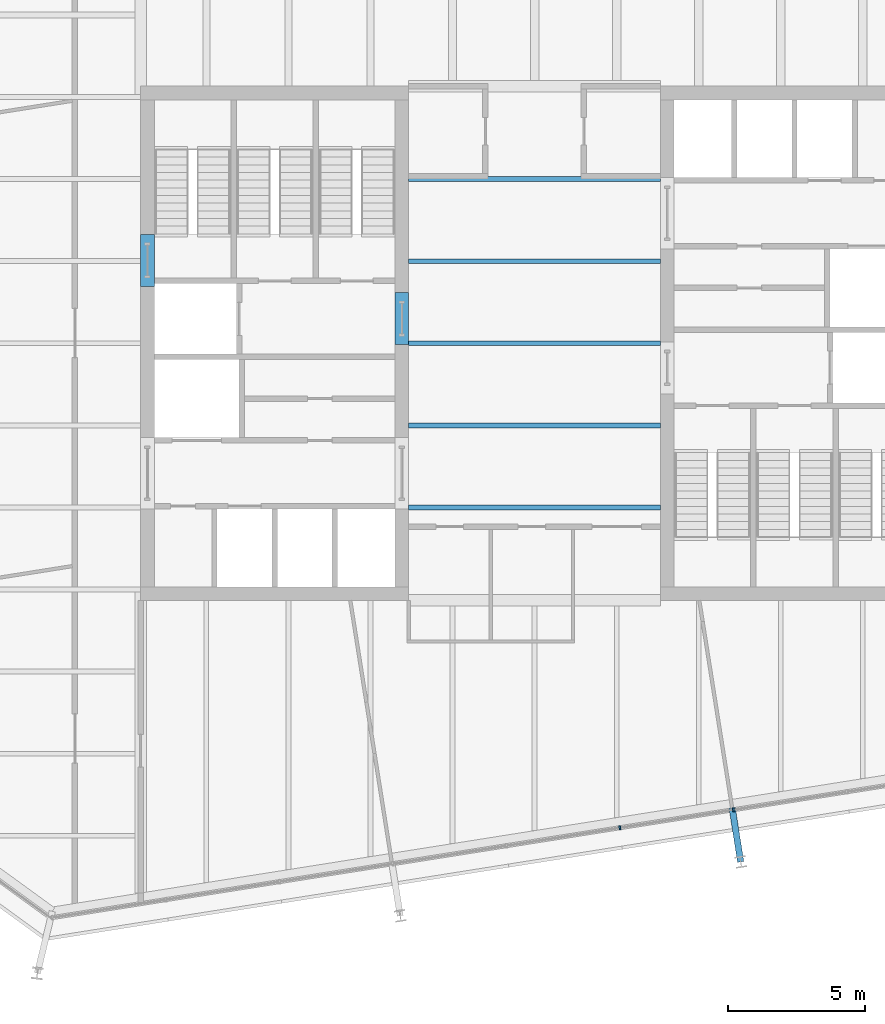
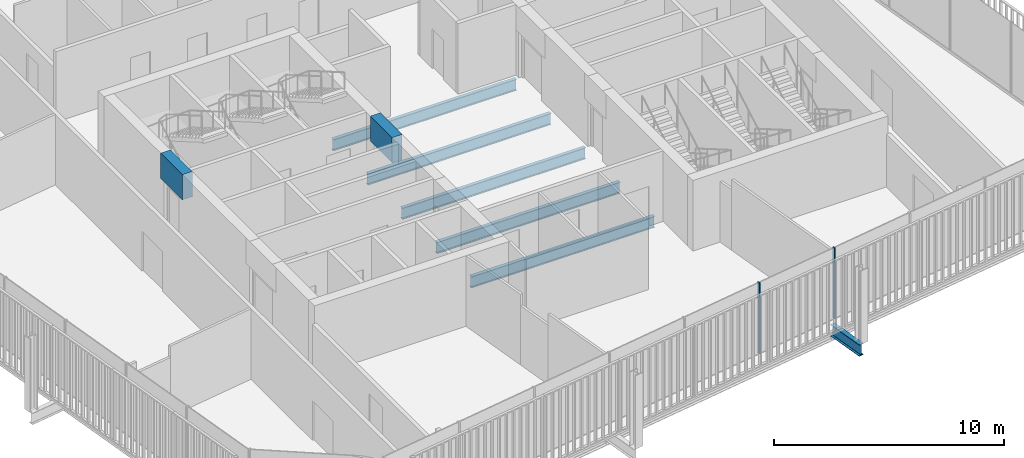
# One storey, part 7 of 20: 8 beams, 2 members, 1 element without a shape of its own.
"""IFC4 building model written with IfcOpenShell, lengths in metres."""

import ifcopenshell
import ifcopenshell.guid

model = None  # the IFC model being written
_history = None  # IfcOwnerHistory: only IFC2X3 demands one
_inside = {}  # id of a spatial element -> (the spatial element, [elements in it])
_under = {}  # id of a project, library or spatial element -> (it, [spatial elements below it])
_declared = {}  # id of a project -> (the project, [libraries it declares])
_typed = {}  # id of a type object -> (the type object, [elements of that type])
_made_of = {}  # id of a material, layer set ... -> (it, [elements and type objects made of it])


def new_model(schema):
    """Start an empty IFC model of exactly this schema.

    Asked for "IFC4X3", IfcOpenShell would pick the latest addendum, in which some entities
    have other attributes; the version numbers below select the first issue.
    IFC2X3 requires an IfcOwnerHistory on every rooted entity: one is made here for all.
    """
    global model, _history
    if schema == "IFC4X3":
        model = ifcopenshell.file(schema_version=(4, 3, 0, 0))
    else:
        model = ifcopenshell.file(schema=schema)
    _inside.clear()
    _under.clear()
    _declared.clear()
    _typed.clear()
    _made_of.clear()
    _history = None
    if model.schema == "IFC2X3":
        org = make("IfcOrganization", Name="unknown")
        user = make(
            "IfcPersonAndOrganization",
            ThePerson=make("IfcPerson", FamilyName="unknown"),
            TheOrganization=org,
        )
        app = make(
            "IfcApplication",
            ApplicationDeveloper=org,
            Version="unknown",
            ApplicationFullName="unknown",
            ApplicationIdentifier="unknown",
        )
        _history = make(
            "IfcOwnerHistory",
            OwningUser=user,
            OwningApplication=app,
            ChangeAction="ADDED",
            CreationDate=0,
        )
    return model


def make(cls, **values):
    """One entity of the class cls with the attributes given. An attribute that is None is left unset."""
    return model.create_entity(
        cls, **{name: value for name, value in values.items() if value is not None}
    )


def rooted(cls, **values):
    """An entity with a GlobalId (a new one), such as an element, a storey or a relation."""
    return make(cls, GlobalId=ifcopenshell.guid.new(), OwnerHistory=_history, **values)


def si_unit(unit_type, name, prefix=None):
    """IfcSIUnit, for example si_unit("LENGTHUNIT", "METRE", prefix="MILLI")."""
    return make("IfcSIUnit", UnitType=unit_type, Prefix=prefix, Name=name)


def assignment(units):
    """IfcUnitAssignment: the units of a project."""
    return None if units is None else make("IfcUnitAssignment", Units=units)


def point(xyz):
    """IfcCartesianPoint."""
    return None if xyz is None else make("IfcCartesianPoint", Coordinates=xyz)


def direction(xyz):
    """IfcDirection."""
    return None if xyz is None else make("IfcDirection", DirectionRatios=xyz)


def frame(location, z_axis=None, x_axis=None):
    """IfcAxis2Placement3D, a coordinate frame: its origin and axes. An axis left out is left unset."""
    return make(
        "IfcAxis2Placement3D",
        Location=point(location),
        Axis=direction(z_axis),
        RefDirection=direction(x_axis),
    )


def frame_2d(location, x_axis=None):
    """IfcAxis2Placement2D, a coordinate frame in the plane: its origin and x axis."""
    return make(
        "IfcAxis2Placement2D", Location=point(location), RefDirection=direction(x_axis)
    )


def origin():
    """The frame at (0, 0, 0) with its axes left unset."""
    return frame((0.0, 0.0, 0.0))


def origin_2d():
    """The frame at (0, 0) in the plane with its x axis left unset."""
    return frame_2d((0.0, 0.0))


def place(relative_to, where):
    """IfcLocalPlacement: puts the frame where relative to a parent placement (None: the world)."""
    return make(
        "IfcLocalPlacement", PlacementRelTo=relative_to, RelativePlacement=where
    )


def context(
    kind, dimensions, precision=None, world=None, true_north=None, identifier=None
):
    """IfcGeometricRepresentationContext, for example the 3D "Model" context."""
    return make(
        "IfcGeometricRepresentationContext",
        ContextIdentifier=identifier,
        ContextType=kind,
        CoordinateSpaceDimension=dimensions,
        Precision=precision,
        WorldCoordinateSystem=world,
        TrueNorth=true_north,
    )


def subcontext(parent, identifier, kind, view, scale=None):
    """IfcGeometricRepresentationSubContext, for example "Body" below "Model"."""
    return make(
        "IfcGeometricRepresentationSubContext",
        ContextIdentifier=identifier,
        ContextType=kind,
        ParentContext=parent,
        TargetScale=scale,
        TargetView=view,
    )


def project(units=None, contexts=None):
    """IfcProject with its units and contexts."""
    return rooted(
        "IfcProject",
        Name="project",
        RepresentationContexts=contexts,
        UnitsInContext=assignment(units),
    )


def spatial(cls, under=None, at=None, **own):
    """A site, building, storey or space (cls), placed at a placement, below another one or the project."""
    s = rooted(cls, ObjectPlacement=at, **own)
    if under is not None:
        _under.setdefault(under.id(), (under, []))[1].append(s)
    return s


def profile(cls, at=None, kind="AREA", **sizes):
    """A parametric profile (cls). Its sizes go by their IFC names, for example OverallWidth=200.0."""
    return make(cls, ProfileType=kind, Position=at, **sizes)


def rectangle(**sizes):
    """IfcRectangleProfileDef."""
    return profile("IfcRectangleProfileDef", **sizes)


def i_section(**sizes):
    """IfcIShapeProfileDef."""
    return profile("IfcIShapeProfileDef", **sizes)


def extrude(swept, where, along, depth):
    """IfcExtrudedAreaSolid: the profile swept, set in the frame where, extruded along a direction by depth."""
    return make(
        "IfcExtrudedAreaSolid",
        SweptArea=swept,
        Position=where,
        ExtrudedDirection=direction(along),
        Depth=depth,
    )


def shape(context_of_items, identifier, shape_type, items):
    """IfcShapeRepresentation: the items that make up one representation, for example the "Body"."""
    return make(
        "IfcShapeRepresentation",
        ContextOfItems=context_of_items,
        RepresentationIdentifier=identifier,
        RepresentationType=shape_type,
        Items=items,
    )


def material(Name=None, Category=None):
    """IfcMaterial."""
    return make("IfcMaterial", Name=Name, Category=Category)


def layer(
    of_material, thickness, ventilated=None, Name=None, Category=None, Priority=None
):
    """IfcMaterialLayer: one layer of a wall or slab, of a material (None: an air gap)."""
    return make(
        "IfcMaterialLayer",
        Material=of_material,
        LayerThickness=thickness,
        IsVentilated=ventilated,
        Name=Name,
        Category=Category,
        Priority=Priority,
    )


def layer_set(layers, Name=None):
    """IfcMaterialLayerSet."""
    return make("IfcMaterialLayerSet", MaterialLayers=layers, LayerSetName=Name)


def material_profile(
    of_material, cross_section, Name=None, Category=None, Priority=None
):
    """IfcMaterialProfile: a cross section and its material."""
    return make(
        "IfcMaterialProfile",
        Name=Name,
        Material=of_material,
        Profile=cross_section,
        Priority=Priority,
        Category=Category,
    )


def profile_set(profiles, Name=None, composite=None):
    """IfcMaterialProfileSet."""
    return make(
        "IfcMaterialProfileSet",
        Name=Name,
        MaterialProfiles=profiles,
        CompositeProfile=composite,
    )


def made_of(thing, what):
    """Note that an element or type object is made of a material, layer set ...; save() writes the relation."""
    if what is not None:
        _made_of.setdefault(what.id(), (what, []))[1].append(thing)
    return thing


def type_object(cls, material=None, **own):
    """A type object (cls), such as IfcWallType, which elements share."""
    return made_of(rooted(cls, **own), material)


def element(
    cls,
    number,
    at=None,
    inside=None,
    cuts=None,
    type_object=None,
    material=None,
    context=None,
    identifier="Body",
    shape_type=None,
    held_by="IfcProductDefinitionShape",
    body=None,
    shapes=None,
    **own,
):
    """One element of the class cls, such as IfcWall. Its Tag is "e" and its number.

    at: its placement. inside: the storey or other place that contains it. cuts: it is an
    opening in that element (IfcRelVoidsElement). A single representation is given by context,
    identifier, shape_type and body (its items); several are given by shapes. held_by: the class
    of the entity that holds the representations. save() writes the other relations.
    """
    e = rooted(cls, Tag="e%d" % number, ObjectPlacement=at, **own)
    if body is not None:
        shapes = [shape(context, identifier, shape_type, body)]
    if shapes is not None:
        e.Representation = make(held_by, Representations=shapes)
    if inside is not None:
        _inside.setdefault(inside.id(), (inside, []))[1].append(e)
    if cuts is not None:
        rooted(
            "IfcRelVoidsElement", RelatingBuildingElement=cuts, RelatedOpeningElement=e
        )
    if type_object is not None:
        _typed.setdefault(type_object.id(), (type_object, []))[1].append(e)
    return made_of(e, material)


def aggregate(whole, parts):
    """IfcRelAggregates: a whole, such as a stair, and the parts it consists of."""
    return rooted("IfcRelAggregates", RelatingObject=whole, RelatedObjects=parts)


def save(model, path):
    """Write the relations noted so far, then the file.

    IfcRelAggregates (storeys below a building ...), IfcRelContainedInSpatialStructure (elements
    in a storey), IfcRelDefinesByType, IfcRelAssociatesMaterial and IfcRelDeclares: one each for
    every whole, place, type object, material and project.
    """
    for whole, parts in _under.values():
        aggregate(whole, parts)
    for where, things in _inside.values():
        rooted(
            "IfcRelContainedInSpatialStructure",
            RelatedElements=things,
            RelatingStructure=where,
        )
    for kind, things in _typed.values():
        rooted("IfcRelDefinesByType", RelatedObjects=things, RelatingType=kind)
    for what, things in _made_of.values():
        rooted("IfcRelAssociatesMaterial", RelatedObjects=things, RelatingMaterial=what)
    for by, libraries in _declared.values():
        rooted("IfcRelDeclares", RelatingContext=by, RelatedDefinitions=libraries)
    model.write(path)


model = new_model("IFC4")

# Units and contexts
model_context = context("Model", 3, precision=1e-05, world=origin(), true_north=direction((0.0, 1.0)))
body_context = subcontext(model_context, "Body", "Model", "MODEL_VIEW")
ifc_project = project(units=[si_unit("LENGTHUNIT", "METRE"), si_unit("AREAUNIT", "SQUARE_METRE"), si_unit("VOLUMEUNIT", "CUBIC_METRE"), si_unit("PLANEANGLEUNIT", "RADIAN"), si_unit("MASSUNIT", "GRAM", prefix="KILO")], contexts=[model_context])

# Site, building, storey
site_placement = place(None, origin())
site = spatial("IfcSite", under=ifc_project, at=site_placement, CompositionType="ELEMENT")
building_placement = place(site_placement, origin())
building = spatial("IfcBuilding", under=site, at=building_placement, Name="Millrace Tower", CompositionType="ELEMENT")
storey_placement = place(building_placement, frame((0.0, 0.0, 259.10009765625)))
storey = spatial("IfcBuildingStorey", under=building, at=storey_placement, Name="L59", CompositionType="ELEMENT", Elevation=259.10009765625)

# Curtain wall, members
ifc_material_1 = material(Name="Aluminium and glass", Category="aluminium")
ifc_layer = layer(ifc_material_1, 0.14990234375)
ifc_layer_set = layer_set([ifc_layer], Name="Aluminium and glass")
curtain_wall_type = type_object("IfcCurtainWallType", Name="CW-1 office vision curtain wall", PredefinedType="NOTDEFINED", material=ifc_layer_set)
curtain_wall_placement = place(storey_placement, origin())
curtain_wall = element("IfcCurtainWall", 1, at=curtain_wall_placement, inside=storey, type_object=curtain_wall_type, Name="Curtain wall D-F02 L59", PredefinedType="NOTDEFINED")
ifc_material_2 = material(Name="Aluminium", Category="aluminium")
ifc_material_profile_1 = material_profile(ifc_material_2, rectangle(XDim=0.06494140625, YDim=0.14990234375, at=origin_2d()))
ifc_profile_set_1 = profile_set([ifc_material_profile_1], Name="Aluminium")
member_type = type_object("IfcMemberType", Name="CW-1 office vision curtain wall mullion", PredefinedType="MULLION", material=ifc_profile_set_1)
member_1_placement = place(storey_placement, frame((3.115966796875, -17.707275390625, 0.139892578125), z_axis=(0.0, 0.0, 1.0), x_axis=(0.987688339511, 0.156434471884, 0.0)))
member_1 = element("IfcMember", 2, at=member_1_placement, type_object=member_type, Name="CW1 mullion D-F02.6", PredefinedType="MULLION", context=body_context, shape_type="SweptSolid", body=[
    extrude(rectangle(XDim=0.06494140625, YDim=0.14990234375, at=origin_2d()), origin(), (0.0, 0.0, 1.0), 3.760009765625),
])
member_2_placement = place(storey_placement, frame((7.26416015625, -17.05029296875, 0.139892578125), z_axis=(0.0, 0.0, 1.0), x_axis=(0.987688339511, 0.156434471884, 0.0)))
member_2 = element("IfcMember", 3, at=member_2_placement, type_object=member_type, Name="CW1 mullion D-F02.7", PredefinedType="MULLION", context=body_context, shape_type="SweptSolid", body=[
    extrude(rectangle(XDim=0.06494140625, YDim=0.14990234375, at=origin_2d()), origin(), (0.0, 0.0, 1.0), 3.760009765625),
])
aggregate(curtain_wall, [member_1, member_2])

# Beams
ifc_material_3 = material(Name="Concrete C60", Category="concrete")
ifc_material_profile_2 = material_profile(ifc_material_3, rectangle(XDim=0.5, YDim=1.340087890625, at=origin_2d()))
ifc_profile_set_2 = profile_set([ifc_material_profile_2], Name="Concrete C60")
beam_type_1 = type_object("IfcBeamType", Name="Coupling beam 500 x 1340 Concrete C60, 1300 opening", PredefinedType="BEAM", material=ifc_profile_set_2)
beam_1_placement = place(storey_placement, frame((-14.14990234375, 2.080078125, 3.06982421875), z_axis=(0.0, 1.0, 0.0), x_axis=(-1.0, 0.0, 0.0)))
element("IfcBeam", 4, at=beam_1_placement, inside=storey, type_object=beam_type_1, Name="Coupling beam W L59", PredefinedType="BEAM", context=body_context, shape_type="SweptSolid", body=[
    extrude(rectangle(XDim=0.5, YDim=1.340087890625, at=origin_2d()), origin(), (0.0, 0.0, 1.0), 1.89990234375),
])
beam_2_placement = place(storey_placement, frame((-4.85009765625, -0.050048828125, 3.06982421875), z_axis=(0.0, 1.0, 0.0), x_axis=(-1.0, 0.0, 0.0)))
element("IfcBeam", 5, at=beam_2_placement, inside=storey, type_object=beam_type_1, Name="Coupling beam W L59", PredefinedType="BEAM", context=body_context, shape_type="SweptSolid", body=[
    extrude(rectangle(XDim=0.5, YDim=1.340087890625, at=origin_2d()), origin(), (0.0, 0.0, 1.0), 1.900146484375),
])
ifc_material_4 = material(Name="Steel ASTM A992 Grade 50", Category="steel")
ifc_material_profile_3 = material_profile(ifc_material_4, i_section(OverallWidth=0.177978515625, OverallDepth=0.599365234375, WebThickness=0.010009765625, FlangeThickness=0.012939453125, FilletRadius=0.012939453125, at=origin_2d()))
ifc_profile_set_3 = profile_set([ifc_material_profile_3], Name="Steel ASTM A992 Grade 50")
beam_type_2 = type_object("IfcBeamType", Name="Floor beam W24x55", PredefinedType="JOIST", material=ifc_profile_set_3)
for number, where, z_axis, x_axis, name in (
    (6, (-4.60009765625, -6.0, -0.459716796875), (1.0, 0.0, 0.0), (0.0, 1.0, 0.0), "BM-D-L59-S1-S008"),
    (7, (-4.60009765625, -3.0, -0.459716796875), (1.0, 0.0, 0.0), (0.0, 1.0, 0.0), "BM-D-L59-S1-S011"),
    (8, (-4.60009765625, 0.0, -0.459716796875), (1.0, 0.0, 0.0), (0.0, 1.0, 0.0), "BM-D-L59-S1-S014"),
    (9, (-4.60009765625, 3.0, -0.459716796875), (1.0, 0.0, 0.0), (0.0, 1.0, 0.0), "BM-D-L59-S1-S017"),
    (10, (-4.60009765625, 6.0, -0.459716796875), (1.0, 0.0, 0.0), (0.0, 1.0, 0.0), "BM-D-L59-S1-S020"),
):
    element("IfcBeam", number, at=place(storey_placement, frame(where, z_axis=z_axis, x_axis=x_axis)), inside=storey, type_object=beam_type_2, Name=name, PredefinedType="JOIST", context=body_context, shape_type="SweptSolid", body=[
        extrude(i_section(OverallWidth=0.177978515625, OverallDepth=0.599365234375, WebThickness=0.010009765625, FlangeThickness=0.012939453125, FilletRadius=0.012939453125, at=origin_2d()), origin(), (0.0, 0.0, 1.0), 9.2001953125),
    ])
ifc_material_5 = material(Name="Steel ASTM A992 Grade 50", Category="steel")
ifc_material_profile_4 = material_profile(ifc_material_5, i_section(OverallWidth=0.23046875, OverallDepth=0.6171875, WebThickness=0.01318359375, FlangeThickness=0.022216796875, FilletRadius=0.012939453125, at=origin_2d()))
ifc_profile_set_4 = profile_set([ifc_material_profile_4], Name="Steel ASTM A992 Grade 50")
beam_type_3 = type_object("IfcBeamType", Name="Link beam W24x94", PredefinedType="BEAM", material=ifc_profile_set_4)
beam_3_placement = place(storey_placement, frame((7.220458984375, -16.981201171875, -0.46875), z_axis=(0.156357438014, -0.987700537399, 0.0), x_axis=(0.987700537399, 0.156357438014, 0.0)))
element("IfcBeam", 11, at=beam_3_placement, inside=storey, type_object=beam_type_3, Name="LNK-D-L59-S1-14", PredefinedType="BEAM", context=body_context, shape_type="SweptSolid", body=[
    extrude(i_section(OverallWidth=0.23046875, OverallDepth=0.6171875, WebThickness=0.01318359375, FlangeThickness=0.022216796875, FilletRadius=0.012939453125, at=origin_2d()), origin(), (0.0, 0.0, 1.0), 2.000244140625),
])

save(model, "model.ifc")
